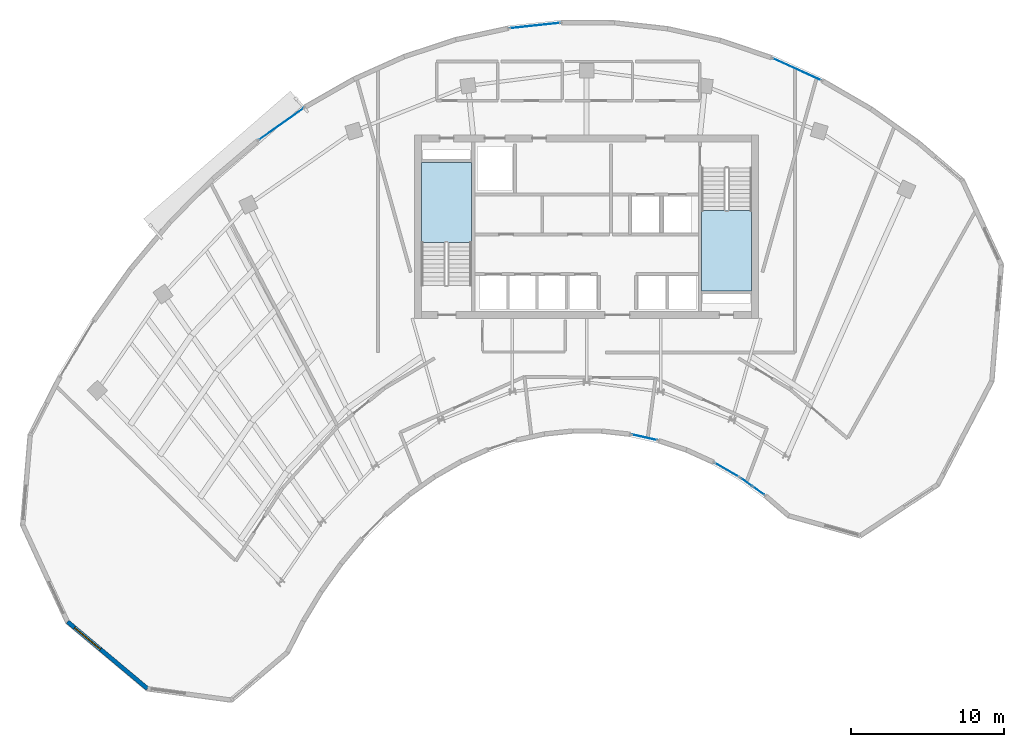
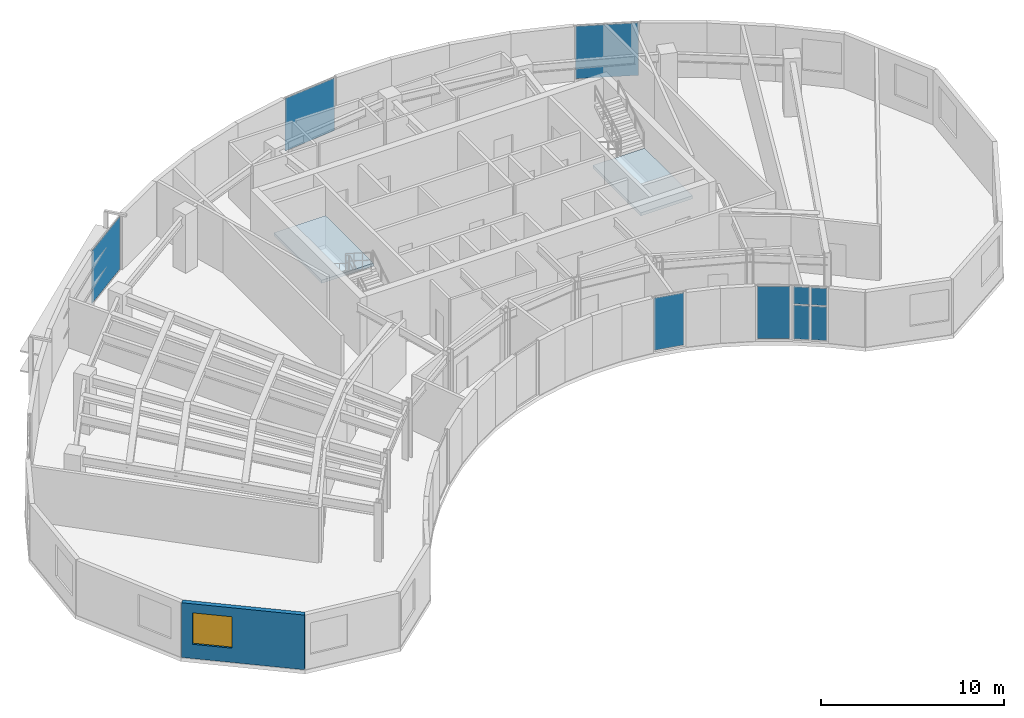
# One storey, part 6 of 12: 9 plates, 2 slabs, 1 wall, 1 window, 1 opening, 8 elements without a shape of their own.
"""IFC4 building model written with IfcOpenShell, lengths in metres."""

from ifc_helpers import new_model, si_unit, direction, frame, frame_2d, origin, origin_2d, place, context, subcontext, project, spatial, polyline, rectangle, outline, extrude, source, transform, mapped, material, layer, layer_set, type_object, type_shapes, element, fill, aggregate, save


model = new_model("IFC4")

# Units and contexts
model_context = context("Model", 3, precision=1e-05, world=origin(), true_north=direction((0.0, 1.0)))
body_context = subcontext(model_context, "Body", "Model", "MODEL_VIEW")
ifc_project = project(units=[si_unit("LENGTHUNIT", "METRE"), si_unit("AREAUNIT", "SQUARE_METRE"), si_unit("VOLUMEUNIT", "CUBIC_METRE"), si_unit("PLANEANGLEUNIT", "RADIAN"), si_unit("MASSUNIT", "GRAM", prefix="KILO")], contexts=[model_context])

# Site, building, storey
site_placement = place(None, origin())
site = spatial("IfcSite", under=ifc_project, at=site_placement, CompositionType="ELEMENT")
building_placement = place(site_placement, origin())
building = spatial("IfcBuilding", under=site, at=building_placement, Name="Breltana Convention Tower", CompositionType="ELEMENT")
storey_placement = place(building_placement, frame((0.0, 0.0, 246.89990234375)))
storey = spatial("IfcBuildingStorey", under=building, at=storey_placement, Name="L60", CompositionType="ELEMENT", Elevation=246.89990234375)

# Stair, slab
ifc_material_1 = material(Name="Concrete C40/50", Category="concrete")
stair_type = type_object("IfcStairType", Name="ST-DOG-1560-R177", PredefinedType="HALF_TURN_STAIR", material=ifc_material_1)
stair_1_placement = place(storey_placement, origin())
stair_1 = element("IfcStair", 1, at=stair_1_placement, inside=storey, type_object=stair_type, Name="L60 Protected Core Exit Stair ST-1", PredefinedType="HALF_TURN_STAIR")
ifc_layer_1 = layer(ifc_material_1, 0.199951171875, Name="Concrete C40/50")
ifc_layer_set_1 = layer_set([ifc_layer_1], Name="Concrete C40/50")
slab_type = type_object("IfcSlabType", Name="SL-STAIR-LANDING-200", PredefinedType="LANDING", material=ifc_layer_set_1)
slab_1_placement = place(storey_placement, frame((0.0, 0.0, 1.75)))
slab_1 = element("IfcSlab", 2, at=slab_1_placement, type_object=slab_type, Name="ST-1 landing 1", PredefinedType="LANDING", context=body_context, shape_type="SweptSolid", body=[
    extrude(outline(polyline([(40.469970703125, 65.159912109375), (40.469970703125, 70.39990234375), (37.199951171875, 70.39990234375), (37.199951171875, 65.159912109375), (40.469970703125, 65.159912109375)])), origin(), (0.0, 0.0, 1.0), 0.2001953125),
])
aggregate(stair_1, [slab_1])

stair_2_placement = place(storey_placement, origin())
stair_2 = element("IfcStair", 3, at=stair_2_placement, inside=storey, type_object=stair_type, Name="L60 Protected Core Exit Stair ST-2", PredefinedType="HALF_TURN_STAIR")
slab_2_placement = place(storey_placement, frame((0.0, 0.0, 1.75)))
slab_2 = element("IfcSlab", 4, at=slab_2_placement, type_object=slab_type, Name="ST-2 landing 1", PredefinedType="LANDING", context=body_context, shape_type="SweptSolid", body=[
    extrude(outline(polyline([(55.530029296875, 67.239990234375), (55.530029296875, 62.0), (58.800048828125, 62.0), (58.800048828125, 67.239990234375), (55.530029296875, 67.239990234375)])), origin(), (0.0, 0.0, 1.0), 0.2001953125),
])
aggregate(stair_2, [slab_2])

# Curtain wall, plates
ifc_material_2 = material(Name="Aluminium Anodised Bronze Frame", Category="aluminium")
ifc_layer_2 = layer(ifc_material_2, 0.18994140625, Name="Aluminium Anodised Bronze Frame")
ifc_layer_set_2 = layer_set([ifc_layer_2], Name="Aluminium Anodised Bronze Frame")
curtain_wall_type_1 = type_object("IfcCurtainWallType", Name="CW-SYS-1", PredefinedType="NOTDEFINED", material=ifc_layer_set_2)
curtain_wall_1_placement = place(storey_placement, origin())
curtain_wall_1 = element("IfcCurtainWall", 5, at=curtain_wall_1_placement, inside=storey, type_object=curtain_wall_type_1, Name="L60 inner south-court glazing 1", PredefinedType="NOTDEFINED")
ifc_material_3 = material(Name="Glass Low-E Double Glazing", Category="glass")
ifc_layer_3 = layer(ifc_material_3, 0.028076171875, Name="Glass Low-E Double Glazing")
ifc_layer_set_3 = layer_set([ifc_layer_3], Name="Glass Low-E Double Glazing")
plate_type = type_object("IfcPlateType", Name="CWP-IGU-28", PredefinedType="CURTAIN_PANEL", material=ifc_layer_set_3)
shared_shape_1 = source(origin(), body_context, "Body", "SweptSolid", [
    extrude(rectangle(XDim=0.88720703125, YDim=0.028076171875, at=origin_2d()), origin(), (0.0, 0.0, 1.0), 2.25244140625),
])
plate_1_placement = place(storey_placement, frame((59.2490234375, 48.93115234375, 0.080078125), z_axis=(0.0, 0.0, 1.0), x_axis=(-0.814132405297, 0.580679280365, 0.0)))
plate_1 = element("IfcPlate", 6, at=plate_1_placement, type_object=plate_type, Name="CW-01 panel 1.1", PredefinedType="CURTAIN_PANEL", context=body_context, shape_type="MappedRepresentation", body=[
    mapped(shared_shape_1, transform((0.0, 0.0, 0.0), scale=1.0)),
])
plate_2_placement = place(storey_placement, frame((58.461669921875, 49.492919921875, 0.080078125), z_axis=(0.0, 0.0, 1.0), x_axis=(-0.814132405297, 0.580679280365, 0.0)))
plate_2 = element("IfcPlate", 7, at=plate_2_placement, type_object=plate_type, Name="CW-01 panel 2.1", PredefinedType="CURTAIN_PANEL", context=body_context, shape_type="MappedRepresentation", body=[
    mapped(shared_shape_1, transform((0.0, 0.0, 0.0), scale=1.0)),
])
shared_shape_2 = source(origin(), body_context, "Body", "SweptSolid", [
    extrude(rectangle(XDim=0.88720703125, YDim=0.028076171875, at=origin_2d()), origin(), (0.0, 0.0, 1.0), 1.157470703125),
])
plate_3_placement = place(storey_placement, frame((59.2490234375, 48.93115234375, 2.41259765625), z_axis=(0.0, 0.0, 1.0), x_axis=(-0.814132405297, 0.580679280365, 0.0)))
plate_3 = element("IfcPlate", 8, at=plate_3_placement, type_object=plate_type, Name="CW-01 panel 1.2", PredefinedType="CURTAIN_PANEL", context=body_context, shape_type="MappedRepresentation", body=[
    mapped(shared_shape_2, transform((0.0, 0.0, 0.0), scale=1.0)),
])
plate_4_placement = place(storey_placement, frame((58.461669921875, 49.492919921875, 2.41259765625), z_axis=(0.0, 0.0, 1.0), x_axis=(-0.814132405297, 0.580679280365, 0.0)))
plate_4 = element("IfcPlate", 9, at=plate_4_placement, type_object=plate_type, Name="CW-01 panel 2.2", PredefinedType="CURTAIN_PANEL", context=body_context, shape_type="MappedRepresentation", body=[
    mapped(shared_shape_2, transform((0.0, 0.0, 0.0), scale=1.0)),
])
aggregate(curtain_wall_1, [plate_1, plate_3, plate_2, plate_4])

# Curtain wall, plate
curtain_wall_2_placement = place(storey_placement, origin())
curtain_wall_2 = element("IfcCurtainWall", 10, at=curtain_wall_2_placement, inside=storey, type_object=curtain_wall_type_1, Name="L60 inner south-court glazing 2", PredefinedType="NOTDEFINED")
shared_shape_3 = source(origin(), body_context, "Body", "SweptSolid", [
    extrude(rectangle(XDim=1.810791015625, YDim=0.028076171875, at=origin_2d()), origin(), (0.0, 0.0, 1.0), 3.489990234375),
])
plate_5_placement = place(storey_placement, frame((57.168212890625, 50.300048828125, 0.080078125), z_axis=(0.0, 0.0, 1.0), x_axis=(-0.865337111796, 0.501190266215, 0.0)))
plate_5 = element("IfcPlate", 11, at=plate_5_placement, type_object=plate_type, Name="CW-01 panel 1.1", PredefinedType="CURTAIN_PANEL", context=body_context, shape_type="MappedRepresentation", body=[
    mapped(shared_shape_3, transform((0.0, 0.0, 0.0), scale=1.0)),
])
aggregate(curtain_wall_2, [plate_5])

curtain_wall_3_placement = place(storey_placement, origin())
curtain_wall_3 = element("IfcCurtainWall", 12, at=curtain_wall_3_placement, inside=storey, type_object=curtain_wall_type_1, Name="L60 inner south-court glazing 3", PredefinedType="NOTDEFINED")
shared_shape_4 = source(origin(), body_context, "Body", "SweptSolid", [
    extrude(rectangle(XDim=1.7177734375, YDim=0.028076171875, at=origin_2d()), origin(), (0.0, 0.0, 1.0), 3.489990234375),
])
plate_6_placement = place(storey_placement, frame((51.7861328125, 52.422607421875, 0.080078125), z_axis=(0.0, 0.0, 1.0), x_axis=(-0.976143181725, 0.217127816671, 0.0)))
plate_6 = element("IfcPlate", 13, at=plate_6_placement, type_object=plate_type, Name="CW-01 panel 1.1", PredefinedType="CURTAIN_PANEL", context=body_context, shape_type="MappedRepresentation", body=[
    mapped(shared_shape_4, transform((0.0, 0.0, 0.0), scale=1.0)),
])
aggregate(curtain_wall_3, [plate_6])

ifc_layer_4 = layer(ifc_material_2, 0.219970703125, Name="Aluminium Anodised Bronze Frame")
ifc_layer_set_4 = layer_set([ifc_layer_4], Name="Aluminium Anodised Bronze Frame")
curtain_wall_type_2 = type_object("IfcCurtainWallType", Name="CW-SYS-4", PredefinedType="NOTDEFINED", material=ifc_layer_set_4)
curtain_wall_4_placement = place(storey_placement, origin())
curtain_wall_4 = element("IfcCurtainWall", 14, at=curtain_wall_4_placement, inside=storey, type_object=curtain_wall_type_2, Name="L60 outer double-skin inner glazing 2", PredefinedType="NOTDEFINED")
shared_shape_5 = source(origin(), body_context, "Body", "SweptSolid", [
    extrude(rectangle(XDim=3.610107421875, YDim=0.028076171875, at=origin_2d()), origin(), (0.0, 0.0, 1.0), 3.510009765625),
])
plate_7_placement = place(storey_placement, frame((28.03564453125, 72.91064453125, 0.0703125), z_axis=(0.0, 0.0, 1.0), x_axis=(0.817009024955, 0.576624880786, 0.0)))
plate_7 = element("IfcPlate", 15, at=plate_7_placement, type_object=plate_type, Name="CW-04 panel 1.1", PredefinedType="CURTAIN_PANEL", context=body_context, shape_type="MappedRepresentation", body=[
    mapped(shared_shape_5, transform((0.0, 0.0, 0.0), scale=1.0)),
])
aggregate(curtain_wall_4, [plate_7])

curtain_wall_5_placement = place(storey_placement, origin())
curtain_wall_5 = element("IfcCurtainWall", 16, at=curtain_wall_5_placement, inside=storey, type_object=curtain_wall_type_2, Name="L60 outer double-skin inner glazing 3", PredefinedType="NOTDEFINED")
shared_shape_6 = source(origin(), body_context, "Body", "SweptSolid", [
    extrude(rectangle(XDim=3.326171875, YDim=0.028076171875, at=origin_2d()), origin(), (0.0, 0.0, 1.0), 3.510009765625),
])
plate_8_placement = place(storey_placement, frame((44.621337890625, 79.34765625, 0.0703125), z_axis=(0.0, 0.0, 1.0), x_axis=(0.994422311203, 0.105471640654, 0.0)))
plate_8 = element("IfcPlate", 17, at=plate_8_placement, type_object=plate_type, Name="CW-04 panel 1.1", PredefinedType="CURTAIN_PANEL", context=body_context, shape_type="MappedRepresentation", body=[
    mapped(shared_shape_6, transform((0.0, 0.0, 0.0), scale=1.0)),
])
aggregate(curtain_wall_5, [plate_8])

curtain_wall_6_placement = place(storey_placement, origin())
curtain_wall_6 = element("IfcCurtainWall", 18, at=curtain_wall_6_placement, inside=storey, type_object=curtain_wall_type_2, Name="L60 outer double-skin inner glazing 4", PredefinedType="NOTDEFINED")
shared_shape_7 = source(origin(), body_context, "Body", "SweptSolid", [
    extrude(rectangle(XDim=3.45947265625, YDim=0.028076171875, at=origin_2d()), origin(), (0.0, 0.0, 1.0), 3.510009765625),
])
plate_9_placement = place(storey_placement, frame((61.75048828125, 76.488037109375, 0.0703125), z_axis=(0.0, 0.0, 1.0), x_axis=(0.910486602729, -0.413538566823, 0.0)))
plate_9 = element("IfcPlate", 19, at=plate_9_placement, type_object=plate_type, Name="CW-04 panel 1.1", PredefinedType="CURTAIN_PANEL", context=body_context, shape_type="MappedRepresentation", body=[
    mapped(shared_shape_7, transform((0.0, 0.0, 0.0), scale=1.0)),
])
aggregate(curtain_wall_6, [plate_9])

# Wall, opening, window
ifc_material_4 = material(Name="Limestone Buff Insulated Wall", Category="masonry")
ifc_layer_5 = layer(ifc_material_4, 0.280029296875, Name="Limestone Buff Insulated Wall")
ifc_layer_set_5 = layer_set([ifc_layer_5], Name="Limestone Buff Insulated Wall")
wall_type = type_object("IfcWallType", Name="WL-EXT-NOSE-280", PredefinedType="SOLIDWALL", material=ifc_layer_set_5)
shared_shape_8 = source(origin(), body_context, "Body", "SweptSolid", [
    extrude(rectangle(XDim=6.81201171875, YDim=0.280029296875, at=frame_2d((3.406005859375, 0.0))), origin(), (0.0, 0.0, 1.0), 3.650146484375),
])
wall_placement = place(storey_placement, frame((19.286376953125, 35.98828125, 0.0), z_axis=(0.0, 0.0, 1.0), x_axis=(-0.766712133953, 0.641991046394, 0.0)))
wall = element("IfcWall", 20, at=wall_placement, inside=storey, type_object=wall_type, Name="L60 curved limestone nose wall W4", PredefinedType="SOLIDWALL", context=body_context, shape_type="MappedRepresentation", body=[
    mapped(shared_shape_8, transform((0.0, 0.0, 0.0), scale=1.0)),
])
opening_placement = place(wall_placement, frame((4.009033203125, 0.0, 0.949951171875)))
opening = element("IfcOpeningElement", 21, at=opening_placement, cuts=wall, Name="Opening W-03", PredefinedType="OPENING", context=body_context, shape_type="SweptSolid", body=[
    extrude(rectangle(XDim=2.199951171875, YDim=2.10009765625, at=frame_2d((1.10009765625, 1.050048828125))), frame((0.0, 0.14990234375, 0.0), z_axis=(0.0, -1.0, 0.0), x_axis=(1.0, 0.0, 0.0)), (0.0, 0.0, 1.0), 0.300048828125),
])
ifc_material_5 = material(Name="Glass Low-E Insulated Window", Category="glass")
window_type = type_object("IfcWindowType", Name="WN-NOSE-2200X2100", PartitioningType="TRIPLE_PANEL_VERTICAL", PredefinedType="WINDOW", material=ifc_material_5)
shared_shape_9 = source(origin(), body_context, "Body", "SweptSolid", [
    extrude(rectangle(XDim=2.199951171875, YDim=2.10009765625, at=frame_2d((1.10009765625, 1.050048828125))), frame((0.0, 0.030029296875, 0.0), z_axis=(0.0, -1.0, 0.0), x_axis=(1.0, 0.0, 0.0)), (0.0, 0.0, 1.0), 0.06005859375),
])
type_shapes(window_type, [shared_shape_9])
window_placement = place(opening_placement, origin())
window = element("IfcWindow", 22, at=window_placement, inside=storey, type_object=window_type, Name="L60 nose window W4", OverallHeight=2.10009765625, OverallWidth=2.199951171875, PartitioningType="TRIPLE_PANEL_VERTICAL", PredefinedType="WINDOW", context=body_context, shape_type="MappedRepresentation", body=[
    mapped(shared_shape_9, transform((0.0, 0.0, 0.0), scale=1.0)),
])
fill(opening, window)

save(model, "model.ifc")
